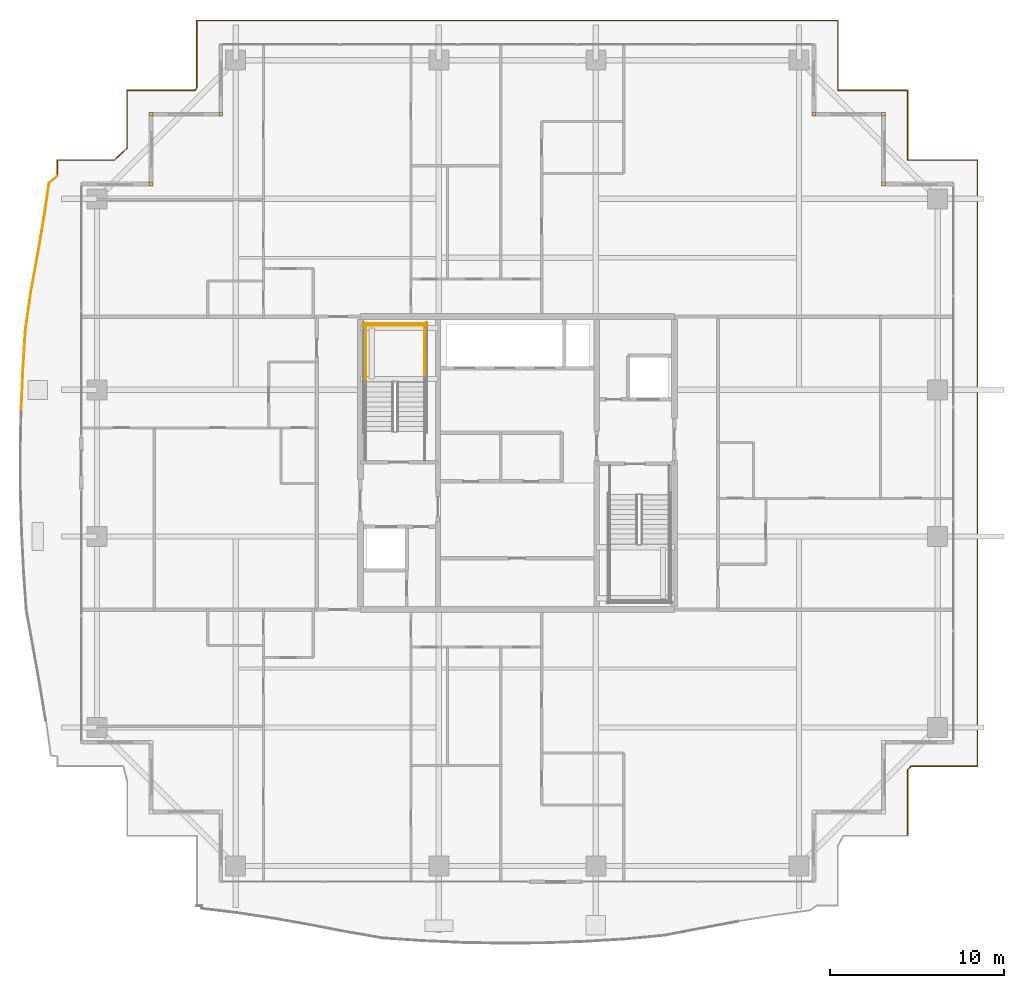
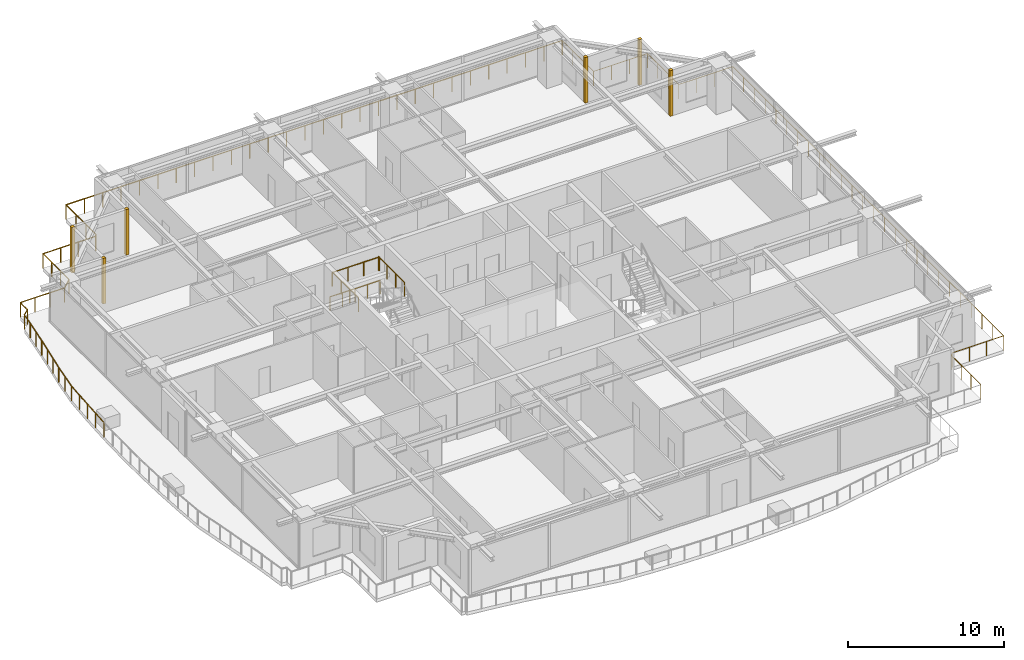
# One storey, part 36 of 36: 7 railings, 6 coverings.
"""IFC4 building model written with IfcOpenShell, lengths in metres."""

from ifc_helpers import new_model, si_unit, direction, frame, origin, origin_2d, place, context, subcontext, project, spatial, rectangle, circle, extrude, source, transform, mapped, material, layer, layer_set, type_object, element, save


model = new_model("IFC4")

# Units and contexts
model_context = context("Model", 3, precision=1e-05, world=origin(), true_north=direction((0.0, 1.0)))
body_context = subcontext(model_context, "Body", "Model", "MODEL_VIEW")
ifc_project = project(units=[si_unit("LENGTHUNIT", "METRE"), si_unit("AREAUNIT", "SQUARE_METRE"), si_unit("VOLUMEUNIT", "CUBIC_METRE"), si_unit("PLANEANGLEUNIT", "RADIAN"), si_unit("MASSUNIT", "GRAM", prefix="KILO")], contexts=[model_context])

# Site, building, storey
site_placement = place(None, origin())
site = spatial("IfcSite", under=ifc_project, at=site_placement, CompositionType="ELEMENT")
building_placement = place(site_placement, origin())
building = spatial("IfcBuilding", under=site, at=building_placement, Name="Serunith Strait Residences", CompositionType="ELEMENT")
storey_placement = place(building_placement, frame((0.0, 0.0, 225.85009765625)))
storey = spatial("IfcBuildingStorey", under=building, at=storey_placement, Name="L56", CompositionType="ELEMENT", Elevation=225.85009765625)

# Railings
ifc_material_1 = material(Name="Stainless Steel & Laminated Glass Balustrade", Category="steel")
railing_type_1 = type_object("IfcRailingType", Name="RLG-BALC-1150", PredefinedType="BALUSTRADE", material=ifc_material_1)
railing_1_placement = place(storey_placement, frame((3.958740234375, 28.281005859375, -0.050048828125)))
element("IfcRailing", 1, at=railing_1_placement, inside=storey, type_object=railing_type_1, Name="L56 Swirling Balcony Perimeter Balustrade 3", PredefinedType="BALUSTRADE", context=body_context, shape_type="SweptSolid", body=[
    extrude(circle(Radius=0.02392578125, at=origin_2d()), frame((0.0, 0.001953125, 1.1259765625), z_axis=(0.043088058735, 0.999071278335, 0.0), x_axis=(-0.999071278335, 0.043088058735, 0.0)), (0.0, 0.0, 1.0), 2.302001953125),
    extrude(circle(Radius=0.02392578125, at=origin_2d()), frame((0.099609375, 2.305908203125, 1.1259765625), z_axis=(0.062638261258, 0.998036296047, 0.0), x_axis=(-0.998036296047, 0.062638261258, 0.0)), (0.0, 0.0, 1.0), 2.276123046875),
    extrude(circle(Radius=0.02392578125, at=origin_2d()), frame((0.242431640625, 4.58154296875, 1.1259765625), z_axis=(0.143706161071, 0.989620401604, 0.0), x_axis=(-0.989620401604, 0.143706161071, 0.0)), (0.0, 0.0, 1.0), 2.209716796875),
    extrude(circle(Radius=0.02392578125, at=origin_2d()), frame((0.560546875, 6.772216796875, 1.1259765625), z_axis=(0.179426422806, 0.983771395599, 0.0), x_axis=(-0.983771395599, 0.179426422806, 0.0)), (0.0, 0.0, 1.0), 2.140380859375),
    extrude(circle(Radius=0.02392578125, at=origin_2d()), frame((0.9453125, 8.8818359375, 1.1259765625), z_axis=(0.167442498811, 0.985881843626, 0.0), x_axis=(-0.985881843626, 0.167442498811, 0.0)), (0.0, 0.0, 1.0), 2.08984375),
    extrude(circle(Radius=0.02392578125, at=origin_2d()), frame((1.2958984375, 10.946044921875, 1.1259765625), z_axis=(0.146449814791, 0.989218101203, 0.0), x_axis=(-0.989218101203, 0.146449814791, 0.0)), (0.0, 0.0, 1.0), 2.054931640625),
    extrude(circle(Radius=0.02392578125, at=origin_2d()), frame((1.5986328125, 12.98193359375, 1.1259765625), z_axis=(0.762898955475, 0.646517736597, 0.0), x_axis=(-0.646517736597, 0.762898955475, 0.0)), (0.0, 0.0, 1.0), 0.604248046875),
    extrude(circle(Radius=0.02099609375, at=origin_2d()), origin(), (0.0, 0.0, 1.0), 1.099853515625),
    extrude(circle(Radius=0.02099609375, at=origin_2d()), frame((0.0498046875, 1.15185546875, 0.0)), (0.0, 0.0, 1.0), 1.099853515625),
    extrude(circle(Radius=0.02099609375, at=origin_2d()), frame((0.099365234375, 2.303955078125, 0.0)), (0.0, 0.0, 1.0), 1.099853515625),
    extrude(circle(Radius=0.02099609375, at=origin_2d()), frame((0.1708984375, 3.44189453125, 0.0)), (0.0, 0.0, 1.0), 1.099853515625),
    extrude(circle(Radius=0.02099609375, at=origin_2d()), frame((0.2421875, 4.57958984375, 0.0)), (0.0, 0.0, 1.0), 1.099853515625),
    extrude(circle(Radius=0.02099609375, at=origin_2d()), frame((0.4013671875, 5.6748046875, 0.0)), (0.0, 0.0, 1.0), 1.099853515625),
    extrude(circle(Radius=0.02099609375, at=origin_2d()), frame((0.560302734375, 6.770263671875, 0.0)), (0.0, 0.0, 1.0), 1.099853515625),
    extrude(circle(Radius=0.02099609375, at=origin_2d()), frame((0.752685546875, 7.8251953125, 0.0)), (0.0, 0.0, 1.0), 1.099853515625),
    extrude(circle(Radius=0.02099609375, at=origin_2d()), frame((0.945068359375, 8.8798828125, 0.0)), (0.0, 0.0, 1.0), 1.099853515625),
    extrude(circle(Radius=0.02099609375, at=origin_2d()), frame((1.120361328125, 9.912109375, 0.0)), (0.0, 0.0, 1.0), 1.099853515625),
    extrude(circle(Radius=0.02099609375, at=origin_2d()), frame((1.295654296875, 10.944091796875, 0.0)), (0.0, 0.0, 1.0), 1.099853515625),
    extrude(circle(Radius=0.02099609375, at=origin_2d()), frame((1.4462890625, 11.96240234375, 0.0)), (0.0, 0.0, 1.0), 1.099853515625),
    extrude(circle(Radius=0.02099609375, at=origin_2d()), frame((1.59716796875, 12.980712890625, 0.0)), (0.0, 0.0, 1.0), 1.099853515625),
    extrude(circle(Radius=0.02099609375, at=origin_2d()), frame((2.061279296875, 13.3740234375, 0.0)), (0.0, 0.0, 1.0), 1.099853515625),
])
railing_2_placement = place(storey_placement, frame((6.02001953125, 41.655029296875, -0.050048828125)))
element("IfcRailing", 2, at=railing_2_placement, inside=storey, type_object=railing_type_1, Name="L56 Swirling Balcony Perimeter Balustrade 4", PredefinedType="BALUSTRADE", context=body_context, shape_type="SweptSolid", body=[
    extrude(circle(Radius=0.02392578125, at=origin_2d()), frame((0.0, 0.001953125, 1.1259765625), z_axis=(0.0, 1.0, 0.0), x_axis=(-1.0, 0.0, 0.0)), (0.0, 0.0, 1.0), 0.921142578125),
    extrude(circle(Radius=0.02392578125, at=origin_2d()), frame((0.001953125, 0.925048828125, 1.1259765625), z_axis=(1.0, 0.0, 0.0), x_axis=(0.0, 1.0, 0.0)), (0.0, 0.0, 1.0), 3.2744140625),
    extrude(circle(Radius=0.02392578125, at=origin_2d()), frame((3.27978515625, 0.926513671875, 1.1259765625), z_axis=(0.730430459829, 0.682987074075, 0.0), x_axis=(-0.682987074075, 0.730430459829, 0.0)), (0.0, 0.0, 1.0), 0.984130859375),
    extrude(circle(Radius=0.02392578125, at=origin_2d()), frame((4.0, 1.601806640625, 1.1259765625), z_axis=(0.0, 1.0, 0.0), x_axis=(-1.0, 0.0, 0.0)), (0.0, 0.0, 1.0), 3.3212890625),
    extrude(circle(Radius=0.02392578125, at=origin_2d()), frame((4.001953125, 4.925048828125, 1.1259765625), z_axis=(1.0, 0.0, 0.0), x_axis=(0.0, 1.0, 0.0)), (0.0, 0.0, 1.0), 3.894287109375),
    extrude(circle(Radius=0.02392578125, at=origin_2d()), frame((7.899169921875, 4.9267578125, 1.1259765625), z_axis=(0.547709328656, 0.8366686867, 0.0), x_axis=(-0.8366686867, 0.547709328656, 0.0)), (0.0, 0.0, 1.0), 0.181884765625),
    extrude(circle(Radius=0.02392578125, at=origin_2d()), frame((8.0, 5.08251953125, 1.1259765625), z_axis=(0.0, 1.0, 0.0), x_axis=(-1.0, 0.0, 0.0)), (0.0, 0.0, 1.0), 3.840576171875),
    extrude(circle(Radius=0.02392578125, at=origin_2d()), frame((8.001953125, 8.925048828125, 1.1259765625), z_axis=(1.0, 0.0, 0.0), x_axis=(0.0, 1.0, 0.0)), (0.0, 0.0, 1.0), 36.756103515625),
    extrude(circle(Radius=0.02099609375, at=origin_2d()), origin(), (0.0, 0.0, 1.0), 1.099853515625),
    extrude(circle(Radius=0.02099609375, at=origin_2d()), frame((0.0, 0.925048828125, 0.0)), (0.0, 0.0, 1.0), 1.099853515625),
    extrude(circle(Radius=0.02099609375, at=origin_2d()), frame((1.0927734375, 0.925048828125, 0.0)), (0.0, 0.0, 1.0), 1.099853515625),
    extrude(circle(Radius=0.02099609375, at=origin_2d()), frame((2.185546875, 0.925048828125, 0.0)), (0.0, 0.0, 1.0), 1.099853515625),
    extrude(circle(Radius=0.02099609375, at=origin_2d()), frame((3.2783203125, 0.925048828125, 0.0)), (0.0, 0.0, 1.0), 1.099853515625),
    extrude(circle(Radius=0.02099609375, at=origin_2d()), frame((4.0, 1.599853515625, 0.0)), (0.0, 0.0, 1.0), 1.099853515625),
    extrude(circle(Radius=0.02099609375, at=origin_2d()), frame((4.0, 2.708251953125, 0.0)), (0.0, 0.0, 1.0), 1.099853515625),
    extrude(circle(Radius=0.02099609375, at=origin_2d()), frame((4.0, 3.816650390625, 0.0)), (0.0, 0.0, 1.0), 1.099853515625),
    extrude(circle(Radius=0.02099609375, at=origin_2d()), frame((4.0, 4.925048828125, 0.0)), (0.0, 0.0, 1.0), 1.099853515625),
    extrude(circle(Radius=0.02099609375, at=origin_2d()), frame((5.29931640625, 4.925048828125, 0.0)), (0.0, 0.0, 1.0), 1.099853515625),
    extrude(circle(Radius=0.02099609375, at=origin_2d()), frame((6.598876953125, 4.925048828125, 0.0)), (0.0, 0.0, 1.0), 1.099853515625),
    extrude(circle(Radius=0.02099609375, at=origin_2d()), frame((7.898193359375, 4.925048828125, 0.0)), (0.0, 0.0, 1.0), 1.099853515625),
    extrude(circle(Radius=0.02099609375, at=origin_2d()), frame((8.0, 5.08056640625, 0.0)), (0.0, 0.0, 1.0), 1.099853515625),
    extrude(circle(Radius=0.02099609375, at=origin_2d()), frame((8.0, 6.362060546875, 0.0)), (0.0, 0.0, 1.0), 1.099853515625),
    extrude(circle(Radius=0.02099609375, at=origin_2d()), frame((8.0, 7.6435546875, 0.0)), (0.0, 0.0, 1.0), 1.099853515625),
    extrude(circle(Radius=0.02099609375, at=origin_2d()), frame((8.0, 8.925048828125, 0.0)), (0.0, 0.0, 1.0), 1.099853515625),
    extrude(circle(Radius=0.02099609375, at=origin_2d()), frame((9.361572265625, 8.925048828125, 0.0)), (0.0, 0.0, 1.0), 1.099853515625),
    extrude(circle(Radius=0.02099609375, at=origin_2d()), frame((10.722900390625, 8.925048828125, 0.0)), (0.0, 0.0, 1.0), 1.099853515625),
    extrude(circle(Radius=0.02099609375, at=origin_2d()), frame((12.08447265625, 8.925048828125, 0.0)), (0.0, 0.0, 1.0), 1.099853515625),
    extrude(circle(Radius=0.02099609375, at=origin_2d()), frame((13.446044921875, 8.925048828125, 0.0)), (0.0, 0.0, 1.0), 1.099853515625),
    extrude(circle(Radius=0.02099609375, at=origin_2d()), frame((14.807373046875, 8.925048828125, 0.0)), (0.0, 0.0, 1.0), 1.099853515625),
    extrude(circle(Radius=0.02099609375, at=origin_2d()), frame((16.1689453125, 8.925048828125, 0.0)), (0.0, 0.0, 1.0), 1.099853515625),
    extrude(circle(Radius=0.02099609375, at=origin_2d()), frame((17.5302734375, 8.925048828125, 0.0)), (0.0, 0.0, 1.0), 1.099853515625),
    extrude(circle(Radius=0.02099609375, at=origin_2d()), frame((18.891845703125, 8.925048828125, 0.0)), (0.0, 0.0, 1.0), 1.099853515625),
    extrude(circle(Radius=0.02099609375, at=origin_2d()), frame((20.25341796875, 8.925048828125, 0.0)), (0.0, 0.0, 1.0), 1.099853515625),
    extrude(circle(Radius=0.02099609375, at=origin_2d()), frame((21.61474609375, 8.925048828125, 0.0)), (0.0, 0.0, 1.0), 1.099853515625),
    extrude(circle(Radius=0.02099609375, at=origin_2d()), frame((22.976318359375, 8.925048828125, 0.0)), (0.0, 0.0, 1.0), 1.099853515625),
    extrude(circle(Radius=0.02099609375, at=origin_2d()), frame((24.337890625, 8.925048828125, 0.0)), (0.0, 0.0, 1.0), 1.099853515625),
    extrude(circle(Radius=0.02099609375, at=origin_2d()), frame((25.69921875, 8.925048828125, 0.0)), (0.0, 0.0, 1.0), 1.099853515625),
    extrude(circle(Radius=0.02099609375, at=origin_2d()), frame((27.060791015625, 8.925048828125, 0.0)), (0.0, 0.0, 1.0), 1.099853515625),
    extrude(circle(Radius=0.02099609375, at=origin_2d()), frame((28.422119140625, 8.925048828125, 0.0)), (0.0, 0.0, 1.0), 1.099853515625),
    extrude(circle(Radius=0.02099609375, at=origin_2d()), frame((29.78369140625, 8.925048828125, 0.0)), (0.0, 0.0, 1.0), 1.099853515625),
    extrude(circle(Radius=0.02099609375, at=origin_2d()), frame((31.145263671875, 8.925048828125, 0.0)), (0.0, 0.0, 1.0), 1.099853515625),
    extrude(circle(Radius=0.02099609375, at=origin_2d()), frame((32.506591796875, 8.925048828125, 0.0)), (0.0, 0.0, 1.0), 1.099853515625),
    extrude(circle(Radius=0.02099609375, at=origin_2d()), frame((33.8681640625, 8.925048828125, 0.0)), (0.0, 0.0, 1.0), 1.099853515625),
    extrude(circle(Radius=0.02099609375, at=origin_2d()), frame((35.229736328125, 8.925048828125, 0.0)), (0.0, 0.0, 1.0), 1.099853515625),
    extrude(circle(Radius=0.02099609375, at=origin_2d()), frame((36.591064453125, 8.925048828125, 0.0)), (0.0, 0.0, 1.0), 1.099853515625),
    extrude(circle(Radius=0.02099609375, at=origin_2d()), frame((37.95263671875, 8.925048828125, 0.0)), (0.0, 0.0, 1.0), 1.099853515625),
    extrude(circle(Radius=0.02099609375, at=origin_2d()), frame((39.31396484375, 8.925048828125, 0.0)), (0.0, 0.0, 1.0), 1.099853515625),
    extrude(circle(Radius=0.02099609375, at=origin_2d()), frame((40.675537109375, 8.925048828125, 0.0)), (0.0, 0.0, 1.0), 1.099853515625),
    extrude(circle(Radius=0.02099609375, at=origin_2d()), frame((42.037109375, 8.925048828125, 0.0)), (0.0, 0.0, 1.0), 1.099853515625),
    extrude(circle(Radius=0.02099609375, at=origin_2d()), frame((43.3984375, 8.925048828125, 0.0)), (0.0, 0.0, 1.0), 1.099853515625),
    extrude(circle(Radius=0.02099609375, at=origin_2d()), frame((44.760009765625, 8.925048828125, 0.0)), (0.0, 0.0, 1.0), 1.099853515625),
])
railing_3_placement = place(storey_placement, frame((50.780029296875, 50.580078125, -0.050048828125)))
element("IfcRailing", 3, at=railing_3_placement, inside=storey, type_object=railing_type_1, Name="L56 Swirling Balcony Perimeter Balustrade 5", PredefinedType="BALUSTRADE", context=body_context, shape_type="SweptSolid", body=[
    extrude(circle(Radius=0.02392578125, at=origin_2d()), frame((0.0, -0.001953125, 1.1259765625), z_axis=(0.0, -1.0, 0.0), x_axis=(1.0, 0.0, 0.0)), (0.0, 0.0, 1.0), 3.99609375),
    extrude(circle(Radius=0.02392578125, at=origin_2d()), frame((0.001953125, -4.0, 1.1259765625), z_axis=(1.0, 0.0, 0.0), x_axis=(0.0, 1.0, 0.0)), (0.0, 0.0, 1.0), 3.99609375),
    extrude(circle(Radius=0.02392578125, at=origin_2d()), frame((4.0, -4.001953125, 1.1259765625), z_axis=(0.0, -1.0, 0.0), x_axis=(1.0, 0.0, 0.0)), (0.0, 0.0, 1.0), 3.99609375),
    extrude(circle(Radius=0.02392578125, at=origin_2d()), frame((4.001953125, -8.0, 1.1259765625), z_axis=(1.0, 0.0, 0.0), x_axis=(0.0, 1.0, 0.0)), (0.0, 0.0, 1.0), 3.99609375),
    extrude(circle(Radius=0.02392578125, at=origin_2d()), frame((8.0, -8.001953125, 1.1259765625), z_axis=(0.0, -1.0, 0.0), x_axis=(1.0, 0.0, 0.0)), (0.0, 0.0, 1.0), 34.756103515625),
    extrude(circle(Radius=0.02392578125, at=origin_2d()), frame((7.998046875, -42.760009765625, 1.1259765625), z_axis=(-1.0, 0.0, 0.0), x_axis=(0.0, -1.0, 0.0)), (0.0, 0.0, 1.0), 3.801025390625),
    extrude(circle(Radius=0.02392578125, at=origin_2d()), frame((4.19384765625, -42.761474609375, 1.1259765625), z_axis=(-0.659789800433, -0.751450210756, 0.0), x_axis=(0.751450210756, -0.659789800433, 0.0)), (0.0, 0.0, 1.0), 0.291748046875),
    extrude(circle(Radius=0.02392578125, at=origin_2d()), frame((4.0, -42.984130859375, 1.1259765625), z_axis=(0.0, -1.0, 0.0), x_axis=(1.0, 0.0, 0.0)), (0.0, 0.0, 1.0), 3.77392578125),
    extrude(circle(Radius=0.02099609375, at=origin_2d()), origin(), (0.0, 0.0, 1.0), 1.099853515625),
    extrude(circle(Radius=0.02099609375, at=origin_2d()), frame((0.0, -1.333251953125, 0.0)), (0.0, 0.0, 1.0), 1.099853515625),
    extrude(circle(Radius=0.02099609375, at=origin_2d()), frame((0.0, -2.666748046875, 0.0)), (0.0, 0.0, 1.0), 1.099853515625),
    extrude(circle(Radius=0.02099609375, at=origin_2d()), frame((0.0, -4.0, 0.0)), (0.0, 0.0, 1.0), 1.099853515625),
    extrude(circle(Radius=0.02099609375, at=origin_2d()), frame((1.333251953125, -4.0, 0.0)), (0.0, 0.0, 1.0), 1.099853515625),
    extrude(circle(Radius=0.02099609375, at=origin_2d()), frame((2.666748046875, -4.0, 0.0)), (0.0, 0.0, 1.0), 1.099853515625),
    extrude(circle(Radius=0.02099609375, at=origin_2d()), frame((4.0, -4.0, 0.0)), (0.0, 0.0, 1.0), 1.099853515625),
    extrude(circle(Radius=0.02099609375, at=origin_2d()), frame((4.0, -5.333251953125, 0.0)), (0.0, 0.0, 1.0), 1.099853515625),
    extrude(circle(Radius=0.02099609375, at=origin_2d()), frame((4.0, -6.666748046875, 0.0)), (0.0, 0.0, 1.0), 1.099853515625),
    extrude(circle(Radius=0.02099609375, at=origin_2d()), frame((4.0, -8.0, 0.0)), (0.0, 0.0, 1.0), 1.099853515625),
    extrude(circle(Radius=0.02099609375, at=origin_2d()), frame((5.333251953125, -8.0, 0.0)), (0.0, 0.0, 1.0), 1.099853515625),
    extrude(circle(Radius=0.02099609375, at=origin_2d()), frame((6.666748046875, -8.0, 0.0)), (0.0, 0.0, 1.0), 1.099853515625),
    extrude(circle(Radius=0.02099609375, at=origin_2d()), frame((8.0, -8.0, 0.0)), (0.0, 0.0, 1.0), 1.099853515625),
    extrude(circle(Radius=0.02099609375, at=origin_2d()), frame((8.0, -9.390380859375, 0.0)), (0.0, 0.0, 1.0), 1.099853515625),
    extrude(circle(Radius=0.02099609375, at=origin_2d()), frame((8.0, -10.78076171875, 0.0)), (0.0, 0.0, 1.0), 1.099853515625),
    extrude(circle(Radius=0.02099609375, at=origin_2d()), frame((8.0, -12.171142578125, 0.0)), (0.0, 0.0, 1.0), 1.099853515625),
    extrude(circle(Radius=0.02099609375, at=origin_2d()), frame((8.0, -13.5615234375, 0.0)), (0.0, 0.0, 1.0), 1.099853515625),
    extrude(circle(Radius=0.02099609375, at=origin_2d()), frame((8.0, -14.951904296875, 0.0)), (0.0, 0.0, 1.0), 1.099853515625),
    extrude(circle(Radius=0.02099609375, at=origin_2d()), frame((8.0, -16.34228515625, 0.0)), (0.0, 0.0, 1.0), 1.099853515625),
    extrude(circle(Radius=0.02099609375, at=origin_2d()), frame((8.0, -17.73291015625, 0.0)), (0.0, 0.0, 1.0), 1.099853515625),
    extrude(circle(Radius=0.02099609375, at=origin_2d()), frame((8.0, -19.123291015625, 0.0)), (0.0, 0.0, 1.0), 1.099853515625),
    extrude(circle(Radius=0.02099609375, at=origin_2d()), frame((8.0, -20.513671875, 0.0)), (0.0, 0.0, 1.0), 1.099853515625),
    extrude(circle(Radius=0.02099609375, at=origin_2d()), frame((8.0, -21.904052734375, 0.0)), (0.0, 0.0, 1.0), 1.099853515625),
    extrude(circle(Radius=0.02099609375, at=origin_2d()), frame((8.0, -23.29443359375, 0.0)), (0.0, 0.0, 1.0), 1.099853515625),
    extrude(circle(Radius=0.02099609375, at=origin_2d()), frame((8.0, -24.684814453125, 0.0)), (0.0, 0.0, 1.0), 1.099853515625),
    extrude(circle(Radius=0.02099609375, at=origin_2d()), frame((8.0, -26.0751953125, 0.0)), (0.0, 0.0, 1.0), 1.099853515625),
    extrude(circle(Radius=0.02099609375, at=origin_2d()), frame((8.0, -27.465576171875, 0.0)), (0.0, 0.0, 1.0), 1.099853515625),
    extrude(circle(Radius=0.02099609375, at=origin_2d()), frame((8.0, -28.85595703125, 0.0)), (0.0, 0.0, 1.0), 1.099853515625),
    extrude(circle(Radius=0.02099609375, at=origin_2d()), frame((8.0, -30.246337890625, 0.0)), (0.0, 0.0, 1.0), 1.099853515625),
    extrude(circle(Radius=0.02099609375, at=origin_2d()), frame((8.0, -31.63671875, 0.0)), (0.0, 0.0, 1.0), 1.099853515625),
    extrude(circle(Radius=0.02099609375, at=origin_2d()), frame((8.0, -33.027099609375, 0.0)), (0.0, 0.0, 1.0), 1.099853515625),
    extrude(circle(Radius=0.02099609375, at=origin_2d()), frame((8.0, -34.417724609375, 0.0)), (0.0, 0.0, 1.0), 1.099853515625),
    extrude(circle(Radius=0.02099609375, at=origin_2d()), frame((8.0, -35.80810546875, 0.0)), (0.0, 0.0, 1.0), 1.099853515625),
    extrude(circle(Radius=0.02099609375, at=origin_2d()), frame((8.0, -37.198486328125, 0.0)), (0.0, 0.0, 1.0), 1.099853515625),
    extrude(circle(Radius=0.02099609375, at=origin_2d()), frame((8.0, -38.5888671875, 0.0)), (0.0, 0.0, 1.0), 1.099853515625),
    extrude(circle(Radius=0.02099609375, at=origin_2d()), frame((8.0, -39.979248046875, 0.0)), (0.0, 0.0, 1.0), 1.099853515625),
    extrude(circle(Radius=0.02099609375, at=origin_2d()), frame((8.0, -41.36962890625, 0.0)), (0.0, 0.0, 1.0), 1.099853515625),
    extrude(circle(Radius=0.02099609375, at=origin_2d()), frame((8.0, -42.760009765625, 0.0)), (0.0, 0.0, 1.0), 1.099853515625),
    extrude(circle(Radius=0.02099609375, at=origin_2d()), frame((6.731689453125, -42.760009765625, 0.0)), (0.0, 0.0, 1.0), 1.099853515625),
    extrude(circle(Radius=0.02099609375, at=origin_2d()), frame((5.46337890625, -42.760009765625, 0.0)), (0.0, 0.0, 1.0), 1.099853515625),
    extrude(circle(Radius=0.02099609375, at=origin_2d()), frame((4.195068359375, -42.760009765625, 0.0)), (0.0, 0.0, 1.0), 1.099853515625),
    extrude(circle(Radius=0.02099609375, at=origin_2d()), frame((4.0, -42.982177734375, 0.0)), (0.0, 0.0, 1.0), 1.099853515625),
    extrude(circle(Radius=0.02099609375, at=origin_2d()), frame((4.0, -44.241455078125, 0.0)), (0.0, 0.0, 1.0), 1.099853515625),
    extrude(circle(Radius=0.02099609375, at=origin_2d()), frame((4.0, -45.500732421875, 0.0)), (0.0, 0.0, 1.0), 1.099853515625),
    extrude(circle(Radius=0.02099609375, at=origin_2d()), frame((4.0, -46.760009765625, 0.0)), (0.0, 0.0, 1.0), 1.099853515625),
])
ifc_material_2 = material(Name="Brushed stainless steel 316L", Category="steel")
railing_type_2 = type_object("IfcRailingType", Name="RLG-STAIR-GUARD", PredefinedType="BALUSTRADE", material=ifc_material_2)
for number, where, name in (
    (4, (27.10009765625, 29.830078125, 1.9248046875), "L56 ST-1 stair guard 3"),
    (5, (23.699951171875, 29.830078125, 1.9248046875), "L56 ST-1 stair guard 4"),
):
    element("IfcRailing", number, at=place(storey_placement, frame(where)), inside=storey, type_object=railing_type_2, Name=name, PredefinedType="BALUSTRADE", context=body_context, shape_type="SweptSolid", body=[
        extrude(circle(Radius=0.02392578125, at=origin_2d()), frame((0.0, 0.001953125, 1.076171875), z_axis=(0.0, 1.0, 0.0), x_axis=(-1.0, 0.0, 0.0)), (0.0, 0.0, 1.0), 3.31591796875),
        extrude(circle(Radius=0.02099609375, at=origin_2d()), origin(), (0.0, 0.0, 1.0), 1.050048828125),
        extrude(circle(Radius=0.02099609375, at=origin_2d()), frame((0.0, 1.106689453125, 0.0)), (0.0, 0.0, 1.0), 1.050048828125),
        extrude(circle(Radius=0.02099609375, at=origin_2d()), frame((0.0, 2.213134765625, 0.0)), (0.0, 0.0, 1.0), 1.050048828125),
        extrude(circle(Radius=0.02099609375, at=origin_2d()), frame((0.0, 3.31982421875, 0.0)), (0.0, 0.0, 1.0), 1.050048828125),
    ])
railing_4_placement = place(storey_placement, frame((27.14990234375, 33.10009765625, 1.9248046875)))
element("IfcRailing", 6, at=railing_4_placement, inside=storey, type_object=railing_type_2, Name="L56 ST-1 stair guard 5", PredefinedType="BALUSTRADE", context=body_context, shape_type="SweptSolid", body=[
    extrude(circle(Radius=0.02392578125, at=origin_2d()), frame((-0.001953125, 0.0, 1.076171875), z_axis=(-1.0, 0.0, 0.0), x_axis=(0.0, -1.0, 0.0)), (0.0, 0.0, 1.0), 3.49609375),
    extrude(circle(Radius=0.02099609375, at=origin_2d()), origin(), (0.0, 0.0, 1.0), 1.050048828125),
    extrude(circle(Radius=0.02099609375, at=origin_2d()), frame((-1.166748046875, 0.0, 0.0)), (0.0, 0.0, 1.0), 1.050048828125),
    extrude(circle(Radius=0.02099609375, at=origin_2d()), frame((-2.333251953125, 0.0, 0.0)), (0.0, 0.0, 1.0), 1.050048828125),
    extrude(circle(Radius=0.02099609375, at=origin_2d()), frame((-3.5, 0.0, 0.0)), (0.0, 0.0, 1.0), 1.050048828125),
])
railing_5_placement = place(storey_placement, frame((27.25, 33.199951171875, 0.0)))
element("IfcRailing", 7, at=railing_5_placement, inside=storey, type_object=railing_type_2, Name="L56 ST-1 stair guard 12", PredefinedType="BALUSTRADE", context=body_context, shape_type="SweptSolid", body=[
    extrude(circle(Radius=0.02392578125, at=origin_2d()), frame((-0.001953125, 0.0, 1.076171875), z_axis=(-1.0, 0.0, 0.0), x_axis=(0.0, -1.0, 0.0)), (0.0, 0.0, 1.0), 3.696044921875),
    extrude(circle(Radius=0.02099609375, at=origin_2d()), origin(), (0.0, 0.0, 1.0), 1.050048828125),
    extrude(circle(Radius=0.02099609375, at=origin_2d()), frame((-0.925048828125, 0.0, 0.0)), (0.0, 0.0, 1.0), 1.050048828125),
    extrude(circle(Radius=0.02099609375, at=origin_2d()), frame((-1.85009765625, 0.0, 0.0)), (0.0, 0.0, 1.0), 1.050048828125),
    extrude(circle(Radius=0.02099609375, at=origin_2d()), frame((-2.77490234375, 0.0, 0.0)), (0.0, 0.0, 1.0), 1.050048828125),
    extrude(circle(Radius=0.02099609375, at=origin_2d()), frame((-3.699951171875, 0.0, 0.0)), (0.0, 0.0, 1.0), 1.050048828125),
])

# Coverings
ifc_material_3 = material(Name="Pale-Champagne Anodised Aluminium", Category="aluminium")
ifc_layer = layer(ifc_material_3, 0.219970703125, Name="Pale-Champagne Anodised Aluminium")
ifc_layer_set = layer_set([ifc_layer], Name="Pale-Champagne Anodised Aluminium")
covering_type = type_object("IfcCoveringType", Name="COV-CORN-TRIM", PredefinedType="CLADDING", material=ifc_layer_set)
shared_shape = source(origin(), body_context, "Body", "SweptSolid", [
    extrude(rectangle(XDim=0.221923828125, YDim=0.221923828125, at=origin_2d()), origin(), (0.0, 0.0, 1.0), 3.574951171875),
])
for number, where, z_axis, x_axis, name in (
    (8, (53.39990234375, 41.199951171875, 0.0), (0.0, 0.0, 1.0), (1.0, 0.0, 0.0), "L56 Girih Serrated Corner Trim Post 07"),
    (9, (53.39990234375, 45.199951171875, 0.0), (0.0, 0.0, 1.0), (1.0, 0.0, 0.0), "L56 Girih Serrated Corner Trim Post 08"),
    (10, (49.39990234375, 45.199951171875, 0.0), (0.0, 0.0, 1.0), (1.0, 0.0, 0.0), "L56 Girih Serrated Corner Trim Post 09"),
    (11, (15.39990234375, 45.199951171875, 0.0), (0.0, 0.0, 1.0), (1.0, 0.0, 0.0), "L56 Girih Serrated Corner Trim Post 12"),
    (12, (11.39990234375, 45.199951171875, 0.0), (0.0, 0.0, 1.0), (1.0, 0.0, 0.0), "L56 Girih Serrated Corner Trim Post 13"),
    (13, (11.39990234375, 41.199951171875, 0.0), (0.0, 0.0, 1.0), (1.0, 0.0, 0.0), "L56 Girih Serrated Corner Trim Post 14"),
):
    element("IfcCovering", number, at=place(storey_placement, frame(where, z_axis=z_axis, x_axis=x_axis)), inside=storey, type_object=covering_type, Name=name, PredefinedType="CLADDING", context=body_context, shape_type="MappedRepresentation", body=[
        mapped(shared_shape, transform((0.0, 0.0, 0.0), scale=1.0)),
    ])

save(model, "model.ifc")
